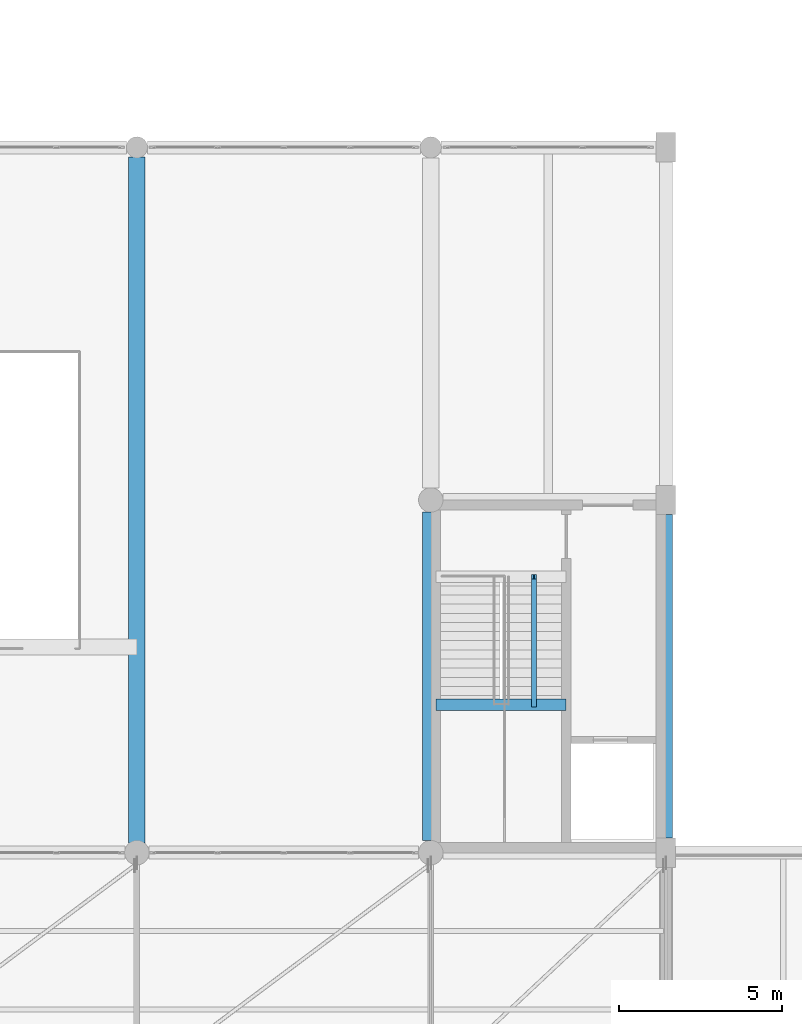
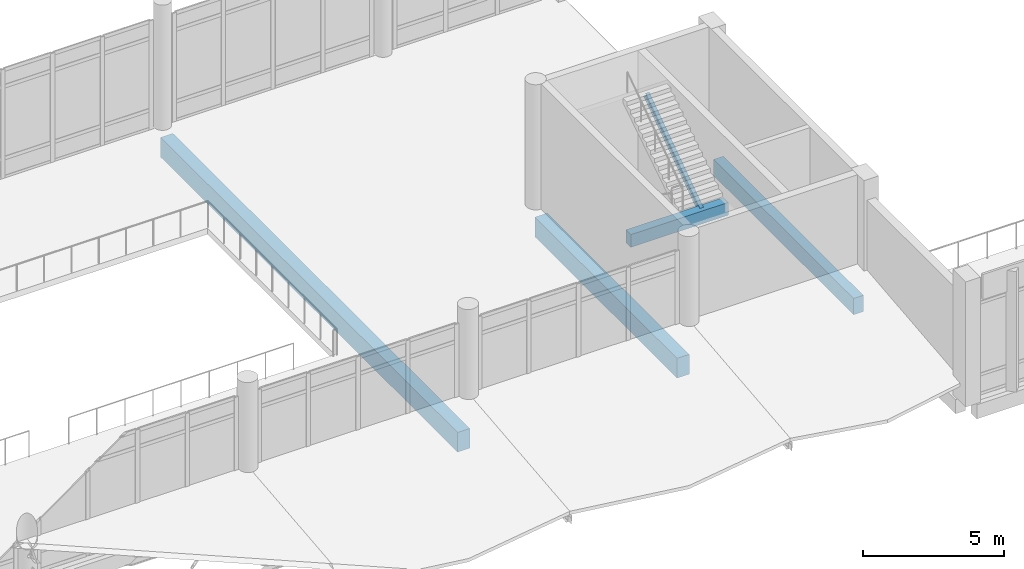
# One storey, part 43 of 180: 5 beams.
"""IFC4 building model written with IfcOpenShell, lengths in metres."""

from ifc_helpers import new_model, si_unit, direction, frame, origin, origin_2d, place, context, subcontext, project, spatial, rectangle, i_section, extrude, material, material_profile, profile_set, type_object, element, save


model = new_model("IFC4")

# Units and contexts
model_context = context("Model", 3, precision=1e-05, world=origin(), true_north=direction((0.0, 1.0)))
body_context = subcontext(model_context, "Body", "Model", "MODEL_VIEW")
ifc_project = project(units=[si_unit("LENGTHUNIT", "METRE"), si_unit("AREAUNIT", "SQUARE_METRE"), si_unit("VOLUMEUNIT", "CUBIC_METRE"), si_unit("PLANEANGLEUNIT", "RADIAN"), si_unit("MASSUNIT", "GRAM", prefix="KILO")], contexts=[model_context])

# Site, building, storey
site_placement = place(None, origin())
site = spatial("IfcSite", under=ifc_project, at=site_placement, CompositionType="ELEMENT")
building_placement = place(site_placement, origin())
building = spatial("IfcBuilding", under=site, at=building_placement, Name="Lusvemor Sports Hall", CompositionType="ELEMENT")
storey_placement = place(building_placement, frame((0.0, 0.0, 5.39990234375)))
storey = spatial("IfcBuildingStorey", under=building, at=storey_placement, Name="L01", CompositionType="ELEMENT", Elevation=5.39990234375)

# Beams
ifc_material_1 = material(Name="Concrete C40/50", Category="concrete")
ifc_material_profile_1 = material_profile(ifc_material_1, rectangle(XDim=0.35009765625, YDim=0.550048828125, at=origin_2d()), Name="RC350x550")
ifc_profile_set_1 = profile_set([ifc_material_profile_1], Name="Concrete C40/50")
beam_type_1 = type_object("IfcBeamType", Name="BEAM_RC_550", PredefinedType="BEAM", material=ifc_profile_set_1)
beam_1_placement = place(storey_placement, frame((111.760009765625, 11.72998046875, 2.2451171875), z_axis=(1.0, 0.0, 0.0), x_axis=(0.0, 1.0, 0.0)))
element("IfcBeam", 1, at=beam_1_placement, inside=storey, type_object=beam_type_1, Name="Stair STR-C7-L01 Mid-Landing Beam", PredefinedType="BEAM", context=body_context, shape_type="SweptSolid", body=[
    extrude(rectangle(XDim=0.35009765625, YDim=0.550048828125, at=origin_2d()), origin(), (0.0, 0.0, 1.0), 3.97998046875),
])
ifc_material_2 = material(Name="Concrete C40/50", Category="concrete")
ifc_material_profile_2 = material_profile(ifc_material_2, rectangle(XDim=0.5, YDim=0.85009765625, at=origin_2d()), Name="RC500x850")
ifc_profile_set_2 = profile_set([ifc_material_profile_2], Name="Concrete C40/50")
beam_type_2 = type_object("IfcBeamType", Name="GIRD_RC_850", PredefinedType="T_BEAM", material=ifc_profile_set_2)
beam_2_placement = place(storey_placement, frame((111.60009765625, 7.571044921875, -0.684814453125), z_axis=(0.0, 1.0, 0.0), x_axis=(-1.0, 0.0, 0.0)))
element("IfcBeam", 2, at=beam_2_placement, inside=storey, type_object=beam_type_2, Name="Beam L01 12:B-C", PredefinedType="T_BEAM", context=body_context, shape_type="SweptSolid", body=[
    extrude(rectangle(XDim=0.5, YDim=0.85009765625, at=origin_2d()), origin(), (0.0, 0.0, 1.0), 10.057861328125),
])
beam_3_placement = place(storey_placement, frame((102.60009765625, 7.5, -0.684814453125), z_axis=(0.0, 1.0, 0.0), x_axis=(-1.0, 0.0, 0.0)))
element("IfcBeam", 3, at=beam_3_placement, inside=storey, type_object=beam_type_2, Name="Foyer Grid 11 Atrium Girder", PredefinedType="T_BEAM", context=body_context, shape_type="SweptSolid", body=[
    extrude(rectangle(XDim=0.5, YDim=0.85009765625, at=origin_2d()), origin(), (0.0, 0.0, 1.0), 21.0),
])
ifc_material_3 = material(Name="Steel S355", Category="steel")
ifc_material_profile_3 = material_profile(ifc_material_3, i_section(OverallWidth=0.14794921875, OverallDepth=0.26611328125, WebThickness=0.007568359375, FlangeThickness=0.012939453125, FilletRadius=0.012939453125, at=origin_2d()), Name="W250x44.8")
ifc_profile_set_3 = profile_set([ifc_material_profile_3], Name="Steel S355")
beam_type_3 = type_object("IfcBeamType", Name="JOIST_ST_250M", PredefinedType="JOIST", material=ifc_profile_set_3)
beam_4_placement = place(storey_placement, frame((114.760009765625, 11.72998046875, 2.35498046875), z_axis=(0.0, 0.823526770215, 0.56727740898), x_axis=(-1.0, 0.0, 0.0)))
element("IfcBeam", 4, at=beam_4_placement, inside=storey, type_object=beam_type_3, Name="Stair STR-C7-L01 Flight 2 Stringer Beam", PredefinedType="JOIST", context=body_context, shape_type="SweptSolid", body=[
    extrude(i_section(OverallWidth=0.14794921875, OverallDepth=0.26611328125, WebThickness=0.007568359375, FlangeThickness=0.012939453125, FilletRadius=0.012939453125, at=origin_2d()), origin(), (0.0, 0.0, 1.0), 4.760009765625),
])
ifc_material_4 = material(Name="Concrete C40/50", Category="concrete")
ifc_material_profile_4 = material_profile(ifc_material_4, rectangle(XDim=0.39990234375, YDim=0.699951171875, at=origin_2d()), Name="RC400x700")
ifc_profile_set_4 = profile_set([ifc_material_profile_4], Name="Concrete C40/50")
beam_type_4 = type_object("IfcBeamType", Name="SPAND_EXT_700", PredefinedType="SPANDREL", material=ifc_profile_set_4)
beam_5_placement = place(storey_placement, frame((118.800048828125, 7.64599609375, -0.60986328125), z_axis=(0.0, 1.0, 0.0), x_axis=(-1.0, 0.0, 0.0)))
element("IfcBeam", 5, at=beam_5_placement, inside=storey, type_object=beam_type_4, Name="Beam L01 13:B-C", PredefinedType="SPANDREL", context=body_context, shape_type="SweptSolid", body=[
    extrude(rectangle(XDim=0.39990234375, YDim=0.699951171875, at=origin_2d()), origin(), (0.0, 0.0, 1.0), 9.907958984375),
])

save(model, "model.ifc")
